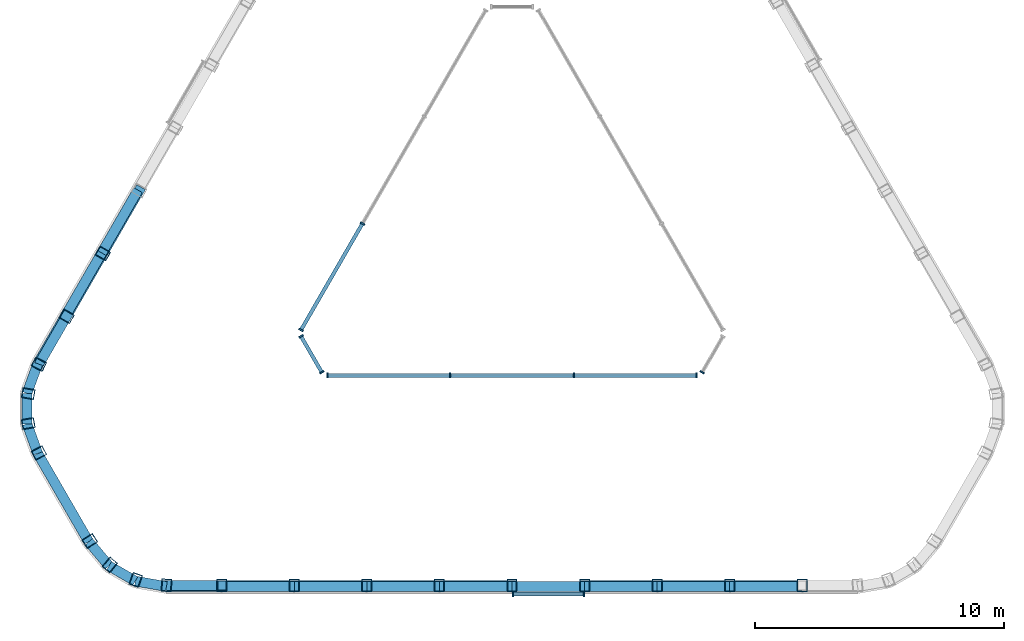
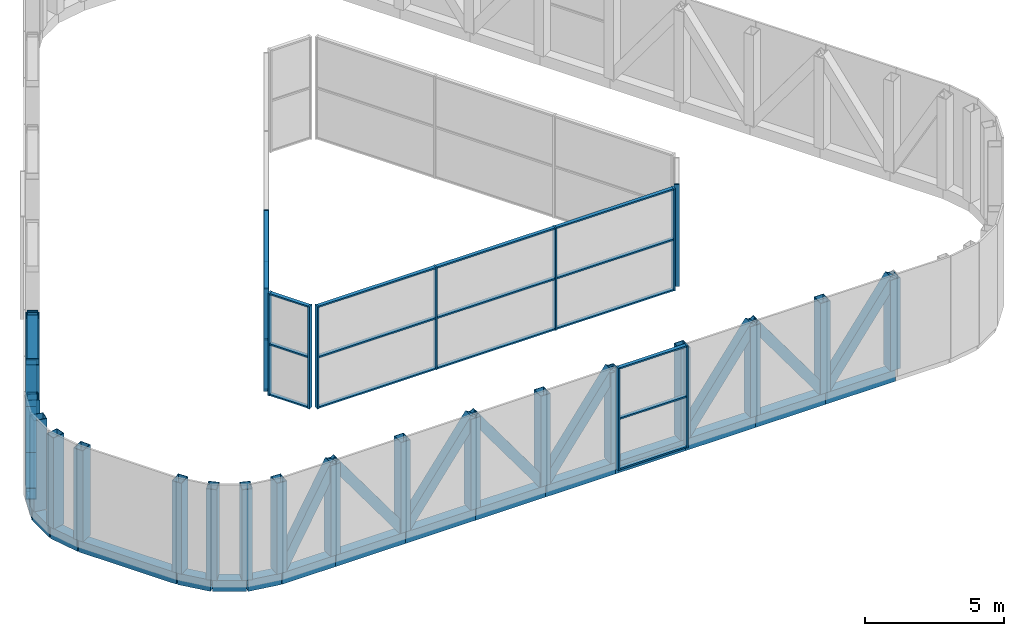
# One storey, part 1 of 5: 78 members, 5 elements without a shape of their own.
"""IFC4 building model written with IfcOpenShell, lengths in metres."""

from ifc_helpers import new_model, si_unit, direction, frame, origin, origin_2d, place, context, subcontext, project, spatial, rectangle, hollow_rectangle, extrude, material, layer, layer_set, material_profile, profile_set, type_object, element, aggregate, save


model = new_model("IFC4")

# Units and contexts
model_context = context("Model", 3, precision=1e-05, world=origin(), true_north=direction((0.0, 1.0)))
body_context = subcontext(model_context, "Body", "Model", "MODEL_VIEW")
ifc_project = project(units=[si_unit("LENGTHUNIT", "METRE"), si_unit("AREAUNIT", "SQUARE_METRE"), si_unit("VOLUMEUNIT", "CUBIC_METRE"), si_unit("PLANEANGLEUNIT", "RADIAN"), si_unit("MASSUNIT", "GRAM", prefix="KILO")], contexts=[model_context])

# Site, building, storey
site_placement = place(None, origin())
site = spatial("IfcSite", under=ifc_project, at=site_placement, CompositionType="ELEMENT")
building_placement = place(site_placement, origin())
building = spatial("IfcBuilding", under=site, at=building_placement, Name="Apuvela Tower Hotel", CompositionType="ELEMENT")
storey_placement = place(building_placement, frame((0.0, 0.0, 357.800048828125)))
storey = spatial("IfcBuildingStorey", under=building, at=storey_placement, Name="R-4 ROOF", CompositionType="ELEMENT", Elevation=357.800048828125)

# Members
ifc_material_1 = material(Name="Steel S355, black paint system", Category="steel")
ifc_material_profile_1 = material_profile(ifc_material_1, hollow_rectangle(XDim=0.39990234375, YDim=0.39990234375, WallThickness=0.01611328125, at=origin_2d()), Name="HSS 400x400x16")
ifc_profile_set_1 = profile_set([ifc_material_profile_1], Name="Steel S355, black paint system")
member_type_1 = type_object("IfcMemberType", Name="ENV-CROWN-BRACE-400x400", PredefinedType="BRACE", material=ifc_profile_set_1)
for number, where, z_axis, x_axis, name in (
    (1, (-14.972412109375, 1.91943359375, 0.25), (-0.294292360305, -0.509682392621, 0.808465129315), (0.866005469285, -0.500034525977, 0.0), "Crown frame brace 14"),
    (2, (-17.884521484375, -3.124267578125, 0.25), (0.294284958722, 0.509718917438, 0.80844479606), (-0.866026430432, 0.49999822179, 0.0), "Crown frame brace 15"),
):
    element("IfcMember", number, at=place(storey_placement, frame(where, z_axis=z_axis, x_axis=x_axis)), inside=storey, type_object=member_type_1, Name=name, PredefinedType="BRACE", context=body_context, shape_type="SweptSolid", body=[
        extrude(hollow_rectangle(XDim=0.39990234375, YDim=0.39990234375, WallThickness=0.01611328125, at=origin_2d()), origin(), (0.0, 0.0, 1.0), 4.94775390625),
    ])
member_1_placement = place(storey_placement, frame((-17.884521484375, -3.124267578125, 0.25), z_axis=(-0.242893162774, -0.420755188842, 0.874052620006), x_axis=(0.866052104262, -0.499953750565, 0.0)))
element("IfcMember", 3, at=member_1_placement, inside=storey, type_object=member_type_1, Name="Crown frame brace 16", PredefinedType="BRACE", context=body_context, shape_type="SweptSolid", body=[
    extrude(hollow_rectangle(XDim=0.39990234375, YDim=0.39990234375, WallThickness=0.01611328125, at=origin_2d()), origin(), (0.0, 0.0, 1.0), 4.576416015625),
])
member_2_placement = place(storey_placement, frame((-13.87109375, -13.92626953125, 0.25), z_axis=(0.485796931429, 0.0, 0.874071702673), x_axis=(0.0, 1.0, 0.0)))
element("IfcMember", 4, at=member_2_placement, inside=storey, type_object=member_type_1, Name="Crown frame brace 24", PredefinedType="BRACE", context=body_context, shape_type="SweptSolid", body=[
    extrude(hollow_rectangle(XDim=0.39990234375, YDim=0.39990234375, WallThickness=0.01611328125, at=origin_2d()), origin(), (0.0, 0.0, 1.0), 4.576171875),
])
member_3_placement = place(storey_placement, frame((-8.73583984375, -13.92626953125, 0.25), z_axis=(-0.588570642565, 0.0, 0.808445792067), x_axis=(0.0, -1.0, 0.0)))
element("IfcMember", 5, at=member_3_placement, inside=storey, type_object=member_type_1, Name="Crown frame brace 25", PredefinedType="BRACE", context=body_context, shape_type="SweptSolid", body=[
    extrude(hollow_rectangle(XDim=0.39990234375, YDim=0.39990234375, WallThickness=0.01611328125, at=origin_2d()), origin(), (0.0, 0.0, 1.0), 4.94775390625),
])
for number, where, z_axis, x_axis, name in (
    (6, (-8.73583984375, -13.92626953125, 0.25), (0.588538390933, 0.0, 0.808469271153), (0.0, 1.0, 0.0), "Crown frame brace 26"),
    (7, (-2.912109375, -13.92626953125, 0.25), (-0.588538390933, 0.0, 0.808469271153), (0.0, -1.0, 0.0), "Crown frame brace 27"),
):
    element("IfcMember", number, at=place(storey_placement, frame(where, z_axis=z_axis, x_axis=x_axis)), inside=storey, type_object=member_type_1, Name=name, PredefinedType="BRACE", context=body_context, shape_type="SweptSolid", body=[
        extrude(hollow_rectangle(XDim=0.39990234375, YDim=0.39990234375, WallThickness=0.01611328125, at=origin_2d()), origin(), (0.0, 0.0, 1.0), 4.947509765625),
    ])
member_4_placement = place(storey_placement, frame((-2.912109375, -13.92626953125, 0.25), z_axis=(0.588570642565, 0.0, 0.808445792067), x_axis=(0.0, 1.0, 0.0)))
element("IfcMember", 8, at=member_4_placement, inside=storey, type_object=member_type_1, Name="Crown frame brace 28", PredefinedType="BRACE", context=body_context, shape_type="SweptSolid", body=[
    extrude(hollow_rectangle(XDim=0.39990234375, YDim=0.39990234375, WallThickness=0.01611328125, at=origin_2d()), origin(), (0.0, 0.0, 1.0), 4.94775390625),
])
for number, where, z_axis, x_axis, name in (
    (9, (2.912109375, -13.92626953125, 0.25), (0.588538390933, 0.0, 0.808469271153), (0.0, 1.0, 0.0), "Crown frame brace 30"),
    (10, (8.73583984375, -13.92626953125, 0.25), (-0.588538390933, 0.0, 0.808469271153), (0.0, -1.0, 0.0), "Crown frame brace 31"),
):
    element("IfcMember", number, at=place(storey_placement, frame(where, z_axis=z_axis, x_axis=x_axis)), inside=storey, type_object=member_type_1, Name=name, PredefinedType="BRACE", context=body_context, shape_type="SweptSolid", body=[
        extrude(hollow_rectangle(XDim=0.39990234375, YDim=0.39990234375, WallThickness=0.01611328125, at=origin_2d()), origin(), (0.0, 0.0, 1.0), 4.947509765625),
    ])
member_5_placement = place(storey_placement, frame((8.73583984375, -13.92626953125, 0.25), z_axis=(0.588570642565, 0.0, 0.808445792067), x_axis=(0.0, 1.0, 0.0)))
element("IfcMember", 11, at=member_5_placement, inside=storey, type_object=member_type_1, Name="Crown frame brace 32", PredefinedType="BRACE", context=body_context, shape_type="SweptSolid", body=[
    extrude(hollow_rectangle(XDim=0.39990234375, YDim=0.39990234375, WallThickness=0.01611328125, at=origin_2d()), origin(), (0.0, 0.0, 1.0), 4.94775390625),
])
ifc_material_profile_2 = material_profile(ifc_material_1, hollow_rectangle(XDim=0.39990234375, YDim=0.5, WallThickness=0.02001953125, at=origin_2d()), Name="HSS 500x400x20")
ifc_profile_set_2 = profile_set([ifc_material_profile_2], Name="Steel S355, black paint system")
member_type_2 = type_object("IfcMemberType", Name="ENV-CROWN-POST-500x400", PredefinedType="POST", material=ifc_profile_set_2)
for number, where, z_axis, x_axis, name in (
    (12, (-16.428466796875, -0.602294921875, 0.25), (0.0, 0.0, 1.0), (-0.5, -0.866025403784, 0.0), "Crown frame post 15"),
    (13, (-17.884521484375, -3.124267578125, 0.25), (0.0, 0.0, 1.0), (-0.5, -0.866025403784, 0.0), "Crown frame post 16"),
    (14, (-18.99609375, -5.0498046875, 0.25), (0.0, 0.0, 1.0), (-0.444553885133, -0.895752110359, 0.0), "Crown frame post 17"),
    (15, (-19.42529296875, -6.229248046875, 0.25), (0.0, 0.0, 1.0), (-0.177414537484, -0.984136211045, 0.0), "Crown frame post 18"),
    (16, (-19.42529296875, -7.43115234375, 0.25), (0.0, 0.0, 1.0), (0.177414537484, -0.984136211045, 0.0), "Crown frame post 19"),
    (17, (-18.99609375, -8.610595703125, 0.25), (0.0, 0.0, 1.0), (0.464115596815, -0.885774639958, 0.0), "Crown frame post 20"),
    (18, (-16.955078125, -12.145751953125, 0.25), (0.0, 0.0, 1.0), (0.535045541825, -0.844823217113, 0.0), "Crown frame post 21"),
    (19, (-16.148193359375, -13.107421875, 0.25), (0.0, 0.0, 1.0), (0.763579690807, -0.645713601984, 0.0), "Crown frame post 22"),
    (20, (-15.107421875, -13.708251953125, 0.25), (0.0, 0.0, 1.0), (0.940994228291, -0.33842260906, 0.0), "Crown frame post 23"),
    (21, (-13.87109375, -13.92626953125, 0.25), (0.0, 0.0, 1.0), (0.998021025631, -0.062881097303, 0.0), "Crown frame post 24"),
    (22, (-11.64794921875, -13.92626953125, 0.25), (0.0, 0.0, 1.0), (1.0, 0.0, 0.0), "Crown frame post 25"),
    (23, (-8.73583984375, -13.92626953125, 0.25), (0.0, 0.0, 1.0), (1.0, 0.0, 0.0), "Crown frame post 26"),
    (24, (-5.823974609375, -13.92626953125, 0.25), (0.0, 0.0, 1.0), (1.0, 0.0, 0.0), "Crown frame post 27"),
    (25, (-2.912109375, -13.92626953125, 0.25), (0.0, 0.0, 1.0), (1.0, 0.0, 0.0), "Crown frame post 28"),
    (26, (0.0, -13.92626953125, 0.25), (0.0, 0.0, 1.0), (1.0, 0.0, 0.0), "Crown frame post 29"),
    (27, (2.912109375, -13.92626953125, 0.25), (0.0, 0.0, 1.0), (1.0, 0.0, 0.0), "Crown frame post 30"),
    (28, (5.823974609375, -13.92626953125, 0.25), (0.0, 0.0, 1.0), (1.0, 0.0, 0.0), "Crown frame post 31"),
    (29, (8.73583984375, -13.92626953125, 0.25), (0.0, 0.0, 1.0), (1.0, 0.0, 0.0), "Crown frame post 32"),
    (30, (11.64794921875, -13.92626953125, 0.25), (0.0, 0.0, 1.0), (1.0, 0.0, 0.0), "Crown frame post 33"),
):
    element("IfcMember", number, at=place(storey_placement, frame(where, z_axis=z_axis, x_axis=x_axis)), inside=storey, type_object=member_type_2, Name=name, PredefinedType="POST", context=body_context, shape_type="SweptSolid", body=[
        extrude(hollow_rectangle(XDim=0.39990234375, YDim=0.5, WallThickness=0.02001953125, at=origin_2d()), origin(), (0.0, 0.0, 1.0), 4.0),
    ])
ifc_material_profile_3 = material_profile(ifc_material_1, hollow_rectangle(XDim=0.39990234375, YDim=0.5, WallThickness=0.01611328125, at=origin_2d()), Name="HSS 500x400x16")
ifc_profile_set_3 = profile_set([ifc_material_profile_3], Name="Steel S355, black paint system")
member_type_3 = type_object("IfcMemberType", Name="ENV-CROWN-RING-500x400", PredefinedType="STRINGER", material=ifc_profile_set_3)
member_6_placement = place(storey_placement, frame((-15.0166015625, 1.94287109375, 0.0), z_axis=(-0.500015065024, -0.866016705814, 0.0), x_axis=(0.866016705814, -0.500015065024, 0.0)))
element("IfcMember", 31, at=member_6_placement, inside=storey, type_object=member_type_3, Name="Crown frame ring beam 4.14", PredefinedType="STRINGER", context=body_context, shape_type="SweptSolid", body=[
    extrude(hollow_rectangle(XDim=0.39990234375, YDim=0.5, WallThickness=0.01611328125, at=origin_2d()), origin(), (0.0, 0.0, 1.0), 2.9130859375),
])
member_7_placement = place(storey_placement, frame((-16.47314453125, -0.579833984375, 0.0), z_axis=(-0.499952204256, -0.866052996912, 0.0), x_axis=(0.866052996912, -0.499952204256, 0.0)))
element("IfcMember", 32, at=member_7_placement, inside=storey, type_object=member_type_3, Name="Crown frame ring beam 4.15", PredefinedType="STRINGER", context=body_context, shape_type="SweptSolid", body=[
    extrude(hollow_rectangle(XDim=0.39990234375, YDim=0.5, WallThickness=0.01611328125, at=origin_2d()), origin(), (0.0, 0.0, 1.0), 2.912841796875),
])
member_8_placement = place(storey_placement, frame((-17.929443359375, -3.1025390625, 0.0), z_axis=(-0.500023359282, -0.866011916877, 0.0), x_axis=(0.866011916877, -0.500023359282, 0.0)))
element("IfcMember", 33, at=member_8_placement, inside=storey, type_object=member_type_3, Name="Crown frame ring beam 4.16", PredefinedType="STRINGER", context=body_context, shape_type="SweptSolid", body=[
    extrude(hollow_rectangle(XDim=0.39990234375, YDim=0.5, WallThickness=0.01611328125, at=origin_2d()), origin(), (0.0, 0.0, 1.0), 2.22412109375),
])
member_9_placement = place(storey_placement, frame((-19.04150390625, -5.028564453125, 0.0), z_axis=(-0.34203668354, -0.939686600475, 0.0), x_axis=(0.939686600475, -0.34203668354, 0.0)))
element("IfcMember", 34, at=member_9_placement, inside=storey, type_object=member_type_3, Name="Crown frame ring beam 4.17", PredefinedType="STRINGER", context=body_context, shape_type="SweptSolid", body=[
    extrude(hollow_rectangle(XDim=0.39990234375, YDim=0.5, WallThickness=0.01611328125, at=origin_2d()), origin(), (0.0, 0.0, 1.0), 1.268310546875),
])
member_10_placement = place(storey_placement, frame((-19.475341796875, -6.220458984375, 0.0), z_axis=(0.0, -1.0, 0.0), x_axis=(1.0, 0.0, 0.0)))
element("IfcMember", 35, at=member_10_placement, inside=storey, type_object=member_type_3, Name="Crown frame ring beam 4.18", PredefinedType="STRINGER", context=body_context, shape_type="SweptSolid", body=[
    extrude(hollow_rectangle(XDim=0.39990234375, YDim=0.5, WallThickness=0.01611328125, at=origin_2d()), origin(), (0.0, 0.0, 1.0), 1.219482421875),
])
member_11_placement = place(storey_placement, frame((-19.475341796875, -7.43994140625, 0.0), z_axis=(0.34203668354, -0.939686600475, 0.0), x_axis=(0.939686600475, 0.34203668354, 0.0)))
element("IfcMember", 36, at=member_11_placement, inside=storey, type_object=member_type_3, Name="Crown frame ring beam 4.19", PredefinedType="STRINGER", context=body_context, shape_type="SweptSolid", body=[
    extrude(hollow_rectangle(XDim=0.39990234375, YDim=0.5, WallThickness=0.01611328125, at=origin_2d()), origin(), (0.0, 0.0, 1.0), 1.268310546875),
])
member_12_placement = place(storey_placement, frame((-19.04150390625, -8.6318359375, 0.0), z_axis=(0.500003144135, -0.86602358851, 0.0), x_axis=(0.86602358851, 0.500003144135, 0.0)))
element("IfcMember", 37, at=member_12_placement, inside=storey, type_object=member_type_3, Name="Crown frame ring beam 4.20", PredefinedType="STRINGER", context=body_context, shape_type="SweptSolid", body=[
    extrude(hollow_rectangle(XDim=0.39990234375, YDim=0.5, WallThickness=0.01611328125, at=origin_2d()), origin(), (0.0, 0.0, 1.0), 4.0908203125),
])
member_13_placement = place(storey_placement, frame((-16.99609375, -12.174560546875, 0.0), z_axis=(0.642717965607, -0.766102876046, 0.0), x_axis=(0.766102876046, 0.642717965607, 0.0)))
element("IfcMember", 38, at=member_13_placement, inside=storey, type_object=member_type_3, Name="Crown frame ring beam 4.21", PredefinedType="STRINGER", context=body_context, shape_type="SweptSolid", body=[
    extrude(hollow_rectangle(XDim=0.39990234375, YDim=0.5, WallThickness=0.01611328125, at=origin_2d()), origin(), (0.0, 0.0, 1.0), 1.268310546875),
])
member_14_placement = place(storey_placement, frame((-16.180908203125, -13.146240234375, 0.0), z_axis=(0.866078909804, -0.499907313403, 0.0), x_axis=(0.499907313403, 0.866078909804, 0.0)))
element("IfcMember", 39, at=member_14_placement, inside=storey, type_object=member_type_3, Name="Crown frame ring beam 4.22", PredefinedType="STRINGER", context=body_context, shape_type="SweptSolid", body=[
    extrude(hollow_rectangle(XDim=0.39990234375, YDim=0.5, WallThickness=0.01611328125, at=origin_2d()), origin(), (0.0, 0.0, 1.0), 1.219482421875),
])
member_15_placement = place(storey_placement, frame((-15.124755859375, -13.755859375, 0.0), z_axis=(0.984783558818, -0.173785333909, 0.0), x_axis=(0.173785333909, 0.984783558818, 0.0)))
element("IfcMember", 40, at=member_15_placement, inside=storey, type_object=member_type_3, Name="Crown frame ring beam 4.23", PredefinedType="STRINGER", context=body_context, shape_type="SweptSolid", body=[
    extrude(hollow_rectangle(XDim=0.39990234375, YDim=0.5, WallThickness=0.01611328125, at=origin_2d()), origin(), (0.0, 0.0, 1.0), 1.2685546875),
])
member_16_placement = place(storey_placement, frame((-13.87548828125, -13.976318359375, 0.0), z_axis=(1.0, 0.0, 0.0), x_axis=(0.0, 1.0, 0.0)))
element("IfcMember", 41, at=member_16_placement, inside=storey, type_object=member_type_3, Name="Crown frame ring beam 4.24", PredefinedType="STRINGER", context=body_context, shape_type="SweptSolid", body=[
    extrude(hollow_rectangle(XDim=0.39990234375, YDim=0.5, WallThickness=0.01611328125, at=origin_2d()), origin(), (0.0, 0.0, 1.0), 2.223876953125),
])
member_17_placement = place(storey_placement, frame((-11.651611328125, -13.976318359375, 0.0), z_axis=(1.0, 0.0, 0.0), x_axis=(0.0, 1.0, 0.0)))
element("IfcMember", 42, at=member_17_placement, inside=storey, type_object=member_type_3, Name="Crown frame ring beam 4.25", PredefinedType="STRINGER", context=body_context, shape_type="SweptSolid", body=[
    extrude(hollow_rectangle(XDim=0.39990234375, YDim=0.5, WallThickness=0.01611328125, at=origin_2d()), origin(), (0.0, 0.0, 1.0), 2.912841796875),
])
member_18_placement = place(storey_placement, frame((-8.73876953125, -13.976318359375, 0.0), z_axis=(1.0, 0.0, 0.0), x_axis=(0.0, 1.0, 0.0)))
element("IfcMember", 43, at=member_18_placement, inside=storey, type_object=member_type_3, Name="Crown frame ring beam 4.26", PredefinedType="STRINGER", context=body_context, shape_type="SweptSolid", body=[
    extrude(hollow_rectangle(XDim=0.39990234375, YDim=0.5, WallThickness=0.01611328125, at=origin_2d()), origin(), (0.0, 0.0, 1.0), 2.9130859375),
])
for number, where, z_axis, x_axis, name in (
    (44, (-5.82568359375, -13.976318359375, 0.0), (1.0, 0.0, 0.0), (0.0, 1.0, 0.0), "Crown frame ring beam 4.27"),
    (45, (-2.912841796875, -13.976318359375, 0.0), (1.0, 0.0, 0.0), (0.0, 1.0, 0.0), "Crown frame ring beam 4.28"),
    (46, (0.0, -13.976318359375, 0.0), (1.0, 0.0, 0.0), (0.0, 1.0, 0.0), "Crown frame ring beam 4.29"),
    (47, (2.912841796875, -13.976318359375, 0.0), (1.0, 0.0, 0.0), (0.0, 1.0, 0.0), "Crown frame ring beam 4.30"),
):
    element("IfcMember", number, at=place(storey_placement, frame(where, z_axis=z_axis, x_axis=x_axis)), inside=storey, type_object=member_type_3, Name=name, PredefinedType="STRINGER", context=body_context, shape_type="SweptSolid", body=[
        extrude(hollow_rectangle(XDim=0.39990234375, YDim=0.5, WallThickness=0.01611328125, at=origin_2d()), origin(), (0.0, 0.0, 1.0), 2.912841796875),
    ])
member_19_placement = place(storey_placement, frame((5.82568359375, -13.976318359375, 0.0), z_axis=(1.0, 0.0, 0.0), x_axis=(0.0, 1.0, 0.0)))
element("IfcMember", 48, at=member_19_placement, inside=storey, type_object=member_type_3, Name="Crown frame ring beam 4.31", PredefinedType="STRINGER", context=body_context, shape_type="SweptSolid", body=[
    extrude(hollow_rectangle(XDim=0.39990234375, YDim=0.5, WallThickness=0.01611328125, at=origin_2d()), origin(), (0.0, 0.0, 1.0), 2.9130859375),
])
member_20_placement = place(storey_placement, frame((8.73876953125, -13.976318359375, 0.0), z_axis=(1.0, 0.0, 0.0), x_axis=(0.0, 1.0, 0.0)))
element("IfcMember", 49, at=member_20_placement, inside=storey, type_object=member_type_3, Name="Crown frame ring beam 4.32", PredefinedType="STRINGER", context=body_context, shape_type="SweptSolid", body=[
    extrude(hollow_rectangle(XDim=0.39990234375, YDim=0.5, WallThickness=0.01611328125, at=origin_2d()), origin(), (0.0, 0.0, 1.0), 2.912841796875),
])

# Curtain wall, members
ifc_material_2 = material(Name="Aluminium 6063-T6, dark bronze anodised", Category="aluminium")
ifc_layer_1 = layer(ifc_material_2, 0.199951171875)
ifc_layer_set_1 = layer_set([ifc_layer_1], Name="ENV-CW-C")
curtain_wall_type_1 = type_object("IfcCurtainWallType", Name="ENV-CW-C", PredefinedType="NOTDEFINED", material=ifc_layer_set_1)
curtain_wall_1_placement = place(storey_placement, origin())
curtain_wall_1 = element("IfcCurtainWall", 50, at=curtain_wall_1_placement, inside=storey, type_object=curtain_wall_type_1, Name="Crown glazing 29 R-4 ROOF", PredefinedType="NOTDEFINED")
ifc_material_profile_4 = material_profile(ifc_material_2, rectangle(XDim=0.199951171875, YDim=0.06494140625, at=origin_2d()), Name="AL 65x200")
ifc_profile_set_4 = profile_set([ifc_material_profile_4], Name="Aluminium 6063-T6, dark bronze anodised")
member_type_4 = type_object("IfcMemberType", Name="ENV-MULLION-65x200", PredefinedType="MULLION", material=ifc_profile_set_4)
member_21_placement = place(storey_placement, frame((0.032470703125, -14.276123046875, 0.0), z_axis=(0.0, 0.0, 1.0), x_axis=(0.0, 1.0, 0.0)))
member_21 = element("IfcMember", 51, at=member_21_placement, type_object=member_type_4, Name="CW-C mullion 1", PredefinedType="MULLION", context=body_context, shape_type="SweptSolid", body=[
    extrude(rectangle(XDim=0.199951171875, YDim=0.06494140625, at=origin_2d()), origin(), (0.0, 0.0, 1.0), 4.5),
])
member_22_placement = place(storey_placement, frame((2.884765625, -14.276123046875, 0.0), z_axis=(0.0, 0.0, 1.0), x_axis=(0.0, 1.0, 0.0)))
member_22 = element("IfcMember", 52, at=member_22_placement, type_object=member_type_4, Name="CW-C mullion 2", PredefinedType="MULLION", context=body_context, shape_type="SweptSolid", body=[
    extrude(rectangle(XDim=0.199951171875, YDim=0.06494140625, at=origin_2d()), origin(), (0.0, 0.0, 1.0), 4.5),
])

ifc_layer_2 = layer(ifc_material_2, 0.199951171875)
ifc_layer_set_2 = layer_set([ifc_layer_2], Name="ENV-CW-A")
curtain_wall_type_2 = type_object("IfcCurtainWallType", Name="ENV-CW-A", PredefinedType="NOTDEFINED", material=ifc_layer_set_2)
curtain_wall_2_placement = place(storey_placement, origin())
curtain_wall_2 = element("IfcCurtainWall", 53, at=curtain_wall_2_placement, inside=storey, type_object=curtain_wall_type_2, Name="Atrium glazing 2 R-4 ROOF", PredefinedType="NOTDEFINED")
member_23_placement = place(storey_placement, frame((-6.00439453125, 0.60009765625, 0.0), z_axis=(0.0, 0.0, 1.0), x_axis=(0.866025940778, -0.499999069899, 0.0)))
member_23 = element("IfcMember", 54, at=member_23_placement, type_object=member_type_4, Name="CW-A mullion 3", PredefinedType="MULLION", context=body_context, shape_type="SweptSolid", body=[
    extrude(rectangle(XDim=0.199951171875, YDim=0.06494140625, at=origin_2d()), origin(), (0.0, 0.0, 1.0), 4.5),
])
member_24_placement = place(storey_placement, frame((-8.470703125, -3.671875, 0.0), z_axis=(0.0, 0.0, 1.0), x_axis=(0.866025940778, -0.499999069899, 0.0)))
member_24 = element("IfcMember", 55, at=member_24_placement, type_object=member_type_4, Name="CW-A mullion 4", PredefinedType="MULLION", context=body_context, shape_type="SweptSolid", body=[
    extrude(rectangle(XDim=0.199951171875, YDim=0.06494140625, at=origin_2d()), origin(), (0.0, 0.0, 1.0), 4.5),
])

curtain_wall_3_placement = place(storey_placement, origin())
curtain_wall_3 = element("IfcCurtainWall", 56, at=curtain_wall_3_placement, inside=storey, type_object=curtain_wall_type_2, Name="Atrium glazing 3 R-4 ROOF", PredefinedType="NOTDEFINED")
member_25_placement = place(storey_placement, frame((-8.470703125, -3.92822265625, 0.0), z_axis=(0.0, 0.0, 1.0), x_axis=(0.866031754706, 0.49998899972, 0.0)))
member_25 = element("IfcMember", 57, at=member_25_placement, type_object=member_type_4, Name="CW-A mullion 1", PredefinedType="MULLION", context=body_context, shape_type="SweptSolid", body=[
    extrude(rectangle(XDim=0.199951171875, YDim=0.06494140625, at=origin_2d()), origin(), (0.0, 0.0, 1.0), 4.5),
])
member_26_placement = place(storey_placement, frame((-7.63720703125, -5.371826171875, 0.0), z_axis=(0.0, 0.0, 1.0), x_axis=(0.866031754706, 0.49998899972, 0.0)))
member_26 = element("IfcMember", 58, at=member_26_placement, type_object=member_type_4, Name="CW-A mullion 2", PredefinedType="MULLION", context=body_context, shape_type="SweptSolid", body=[
    extrude(rectangle(XDim=0.199951171875, YDim=0.06494140625, at=origin_2d()), origin(), (0.0, 0.0, 1.0), 4.5),
])

curtain_wall_4_placement = place(storey_placement, origin())
curtain_wall_4 = element("IfcCurtainWall", 59, at=curtain_wall_4_placement, inside=storey, type_object=curtain_wall_type_2, Name="Atrium glazing 4 R-4 ROOF", PredefinedType="NOTDEFINED")
member_27_placement = place(storey_placement, frame((-7.415283203125, -5.5, 0.0), z_axis=(0.0, 0.0, 1.0), x_axis=(0.0, 1.0, 0.0)))
member_27 = element("IfcMember", 60, at=member_27_placement, type_object=member_type_4, Name="CW-A mullion 1", PredefinedType="MULLION", context=body_context, shape_type="SweptSolid", body=[
    extrude(rectangle(XDim=0.199951171875, YDim=0.06494140625, at=origin_2d()), origin(), (0.0, 0.0, 1.0), 4.5),
])
member_28_placement = place(storey_placement, frame((-2.482666015625, -5.5, 0.0), z_axis=(0.0, 0.0, 1.0), x_axis=(0.0, 1.0, 0.0)))
member_28 = element("IfcMember", 61, at=member_28_placement, type_object=member_type_4, Name="CW-A mullion 2", PredefinedType="MULLION", context=body_context, shape_type="SweptSolid", body=[
    extrude(rectangle(XDim=0.199951171875, YDim=0.06494140625, at=origin_2d()), origin(), (0.0, 0.0, 1.0), 4.5),
])
member_29_placement = place(storey_placement, frame((2.482666015625, -5.5, 0.0), z_axis=(0.0, 0.0, 1.0), x_axis=(0.0, 1.0, 0.0)))
member_29 = element("IfcMember", 62, at=member_29_placement, type_object=member_type_4, Name="CW-A mullion 3", PredefinedType="MULLION", context=body_context, shape_type="SweptSolid", body=[
    extrude(rectangle(XDim=0.199951171875, YDim=0.06494140625, at=origin_2d()), origin(), (0.0, 0.0, 1.0), 4.5),
])
member_30_placement = place(storey_placement, frame((7.415283203125, -5.5, 0.0), z_axis=(0.0, 0.0, 1.0), x_axis=(0.0, 1.0, 0.0)))
member_30 = element("IfcMember", 63, at=member_30_placement, type_object=member_type_4, Name="CW-A mullion 4", PredefinedType="MULLION", context=body_context, shape_type="SweptSolid", body=[
    extrude(rectangle(XDim=0.199951171875, YDim=0.06494140625, at=origin_2d()), origin(), (0.0, 0.0, 1.0), 4.5),
])

# Curtain wall, member
curtain_wall_5_placement = place(storey_placement, origin())
curtain_wall_5 = element("IfcCurtainWall", 64, at=curtain_wall_5_placement, inside=storey, type_object=curtain_wall_type_2, Name="Atrium glazing 5 R-4 ROOF", PredefinedType="NOTDEFINED")
member_31_placement = place(storey_placement, frame((7.63720703125, -5.371826171875, 0.0), z_axis=(0.0, 0.0, 1.0), x_axis=(-0.866031754706, 0.49998899972, 0.0)))
member_31 = element("IfcMember", 65, at=member_31_placement, type_object=member_type_4, Name="CW-A mullion 1", PredefinedType="MULLION", context=body_context, shape_type="SweptSolid", body=[
    extrude(rectangle(XDim=0.199951171875, YDim=0.06494140625, at=origin_2d()), origin(), (0.0, 0.0, 1.0), 4.5),
])
aggregate(curtain_wall_5, [member_31])

# Member
ifc_material_profile_5 = material_profile(ifc_material_2, rectangle(XDim=0.14990234375, YDim=0.06494140625, at=origin_2d()), Name="AL 65x150 transom")
ifc_profile_set_5 = profile_set([ifc_material_profile_5], Name="Aluminium 6063-T6, dark bronze anodised")
member_type_5 = type_object("IfcMemberType", Name="ENV-TRANSOM-65x150", PredefinedType="USERDEFINED", material=ifc_profile_set_5)
member_32_placement = place(storey_placement, frame((0.06494140625, -14.276123046875, 0.032470703125), z_axis=(1.0, 0.0, 0.0), x_axis=(0.0, 1.0, 0.0)))
member_32 = element("IfcMember", 66, at=member_32_placement, type_object=member_type_5, Name="CW-C transom 1.1", ObjectType="TRANSOM", PredefinedType="USERDEFINED", context=body_context, shape_type="SweptSolid", body=[
    extrude(rectangle(XDim=0.14990234375, YDim=0.06494140625, at=origin_2d()), origin(), (0.0, 0.0, 1.0), 2.787353515625),
])

member_33_placement = place(storey_placement, frame((0.06494140625, -14.276123046875, 2.25), z_axis=(1.0, 0.0, 0.0), x_axis=(0.0, 1.0, 0.0)))
member_33 = element("IfcMember", 67, at=member_33_placement, type_object=member_type_5, Name="CW-C transom 1.2", ObjectType="TRANSOM", PredefinedType="USERDEFINED", context=body_context, shape_type="SweptSolid", body=[
    extrude(rectangle(XDim=0.14990234375, YDim=0.06494140625, at=origin_2d()), origin(), (0.0, 0.0, 1.0), 2.787353515625),
])

member_34_placement = place(storey_placement, frame((0.06494140625, -14.276123046875, 4.467529296875), z_axis=(1.0, 0.0, 0.0), x_axis=(0.0, 1.0, 0.0)))
member_34 = element("IfcMember", 68, at=member_34_placement, type_object=member_type_5, Name="CW-C transom 1.3", ObjectType="TRANSOM", PredefinedType="USERDEFINED", context=body_context, shape_type="SweptSolid", body=[
    extrude(rectangle(XDim=0.14990234375, YDim=0.06494140625, at=origin_2d()), origin(), (0.0, 0.0, 1.0), 2.787353515625),
])

aggregate(curtain_wall_1, [member_21, member_22, member_32, member_33, member_34])

member_35_placement = place(storey_placement, frame((-6.020751953125, 0.57177734375, 0.032470703125), z_axis=(-0.49999597136, -0.866027729709, 0.0), x_axis=(0.866027729709, -0.49999597136, 0.0)))
member_35 = element("IfcMember", 69, at=member_35_placement, type_object=member_type_5, Name="CW-A transom 3.1", ObjectType="TRANSOM", PredefinedType="USERDEFINED", context=body_context, shape_type="SweptSolid", body=[
    extrude(rectangle(XDim=0.14990234375, YDim=0.06494140625, at=origin_2d()), origin(), (0.0, 0.0, 1.0), 4.86767578125),
])

member_36_placement = place(storey_placement, frame((-6.020751953125, 0.57177734375, 2.25), z_axis=(-0.49999597136, -0.866027729709, 0.0), x_axis=(0.866027729709, -0.49999597136, 0.0)))
member_36 = element("IfcMember", 70, at=member_36_placement, type_object=member_type_5, Name="CW-A transom 3.2", ObjectType="TRANSOM", PredefinedType="USERDEFINED", context=body_context, shape_type="SweptSolid", body=[
    extrude(rectangle(XDim=0.14990234375, YDim=0.06494140625, at=origin_2d()), origin(), (0.0, 0.0, 1.0), 4.86767578125),
])

member_37_placement = place(storey_placement, frame((-6.020751953125, 0.57177734375, 4.467529296875), z_axis=(-0.49999597136, -0.866027729709, 0.0), x_axis=(0.866027729709, -0.49999597136, 0.0)))
member_37 = element("IfcMember", 71, at=member_37_placement, type_object=member_type_5, Name="CW-A transom 3.3", ObjectType="TRANSOM", PredefinedType="USERDEFINED", context=body_context, shape_type="SweptSolid", body=[
    extrude(rectangle(XDim=0.14990234375, YDim=0.06494140625, at=origin_2d()), origin(), (0.0, 0.0, 1.0), 4.86767578125),
])

aggregate(curtain_wall_2, [member_23, member_24, member_35, member_36, member_37])

member_38_placement = place(storey_placement, frame((-8.45458984375, -3.956298828125, 0.032470703125), z_axis=(0.499990676028, -0.866030786915, 0.0), x_axis=(0.866030786915, 0.499990676028, 0.0)))
member_38 = element("IfcMember", 72, at=member_38_placement, type_object=member_type_5, Name="CW-A transom 1.1", ObjectType="TRANSOM", PredefinedType="USERDEFINED", context=body_context, shape_type="SweptSolid", body=[
    extrude(rectangle(XDim=0.14990234375, YDim=0.06494140625, at=origin_2d()), origin(), (0.0, 0.0, 1.0), 1.60205078125),
])

member_39_placement = place(storey_placement, frame((-8.45458984375, -3.956298828125, 2.25), z_axis=(0.499990676028, -0.866030786915, 0.0), x_axis=(0.866030786915, 0.499990676028, 0.0)))
member_39 = element("IfcMember", 73, at=member_39_placement, type_object=member_type_5, Name="CW-A transom 1.2", ObjectType="TRANSOM", PredefinedType="USERDEFINED", context=body_context, shape_type="SweptSolid", body=[
    extrude(rectangle(XDim=0.14990234375, YDim=0.06494140625, at=origin_2d()), origin(), (0.0, 0.0, 1.0), 1.60205078125),
])

member_40_placement = place(storey_placement, frame((-8.45458984375, -3.956298828125, 4.467529296875), z_axis=(0.499990676028, -0.866030786915, 0.0), x_axis=(0.866030786915, 0.499990676028, 0.0)))
member_40 = element("IfcMember", 74, at=member_40_placement, type_object=member_type_5, Name="CW-A transom 1.3", ObjectType="TRANSOM", PredefinedType="USERDEFINED", context=body_context, shape_type="SweptSolid", body=[
    extrude(rectangle(XDim=0.14990234375, YDim=0.06494140625, at=origin_2d()), origin(), (0.0, 0.0, 1.0), 1.60205078125),
])

aggregate(curtain_wall_3, [member_25, member_26, member_38, member_39, member_40])

member_41_placement = place(storey_placement, frame((-7.3828125, -5.5, 0.032470703125), z_axis=(1.0, 0.0, 0.0), x_axis=(0.0, 1.0, 0.0)))
member_41 = element("IfcMember", 75, at=member_41_placement, type_object=member_type_5, Name="CW-A transom 1.1", ObjectType="TRANSOM", PredefinedType="USERDEFINED", context=body_context, shape_type="SweptSolid", body=[
    extrude(rectangle(XDim=0.14990234375, YDim=0.06494140625, at=origin_2d()), origin(), (0.0, 0.0, 1.0), 4.86767578125),
])

member_42_placement = place(storey_placement, frame((-7.3828125, -5.5, 2.25), z_axis=(1.0, 0.0, 0.0), x_axis=(0.0, 1.0, 0.0)))
member_42 = element("IfcMember", 76, at=member_42_placement, type_object=member_type_5, Name="CW-A transom 1.2", ObjectType="TRANSOM", PredefinedType="USERDEFINED", context=body_context, shape_type="SweptSolid", body=[
    extrude(rectangle(XDim=0.14990234375, YDim=0.06494140625, at=origin_2d()), origin(), (0.0, 0.0, 1.0), 4.86767578125),
])

member_43_placement = place(storey_placement, frame((-7.3828125, -5.5, 4.467529296875), z_axis=(1.0, 0.0, 0.0), x_axis=(0.0, 1.0, 0.0)))
member_43 = element("IfcMember", 77, at=member_43_placement, type_object=member_type_5, Name="CW-A transom 1.3", ObjectType="TRANSOM", PredefinedType="USERDEFINED", context=body_context, shape_type="SweptSolid", body=[
    extrude(rectangle(XDim=0.14990234375, YDim=0.06494140625, at=origin_2d()), origin(), (0.0, 0.0, 1.0), 4.86767578125),
])

member_44_placement = place(storey_placement, frame((-2.4501953125, -5.5, 0.032470703125), z_axis=(1.0, 0.0, 0.0), x_axis=(0.0, 1.0, 0.0)))
member_44 = element("IfcMember", 78, at=member_44_placement, type_object=member_type_5, Name="CW-A transom 2.1", ObjectType="TRANSOM", PredefinedType="USERDEFINED", context=body_context, shape_type="SweptSolid", body=[
    extrude(rectangle(XDim=0.14990234375, YDim=0.06494140625, at=origin_2d()), origin(), (0.0, 0.0, 1.0), 4.900390625),
])

member_45_placement = place(storey_placement, frame((-2.4501953125, -5.5, 2.25), z_axis=(1.0, 0.0, 0.0), x_axis=(0.0, 1.0, 0.0)))
member_45 = element("IfcMember", 79, at=member_45_placement, type_object=member_type_5, Name="CW-A transom 2.2", ObjectType="TRANSOM", PredefinedType="USERDEFINED", context=body_context, shape_type="SweptSolid", body=[
    extrude(rectangle(XDim=0.14990234375, YDim=0.06494140625, at=origin_2d()), origin(), (0.0, 0.0, 1.0), 4.900390625),
])

member_46_placement = place(storey_placement, frame((-2.4501953125, -5.5, 4.467529296875), z_axis=(1.0, 0.0, 0.0), x_axis=(0.0, 1.0, 0.0)))
member_46 = element("IfcMember", 80, at=member_46_placement, type_object=member_type_5, Name="CW-A transom 2.3", ObjectType="TRANSOM", PredefinedType="USERDEFINED", context=body_context, shape_type="SweptSolid", body=[
    extrude(rectangle(XDim=0.14990234375, YDim=0.06494140625, at=origin_2d()), origin(), (0.0, 0.0, 1.0), 4.900390625),
])

member_47_placement = place(storey_placement, frame((2.51513671875, -5.5, 0.032470703125), z_axis=(1.0, 0.0, 0.0), x_axis=(0.0, 1.0, 0.0)))
member_47 = element("IfcMember", 81, at=member_47_placement, type_object=member_type_5, Name="CW-A transom 3.1", ObjectType="TRANSOM", PredefinedType="USERDEFINED", context=body_context, shape_type="SweptSolid", body=[
    extrude(rectangle(XDim=0.14990234375, YDim=0.06494140625, at=origin_2d()), origin(), (0.0, 0.0, 1.0), 4.86767578125),
])

member_48_placement = place(storey_placement, frame((2.51513671875, -5.5, 2.25), z_axis=(1.0, 0.0, 0.0), x_axis=(0.0, 1.0, 0.0)))
member_48 = element("IfcMember", 82, at=member_48_placement, type_object=member_type_5, Name="CW-A transom 3.2", ObjectType="TRANSOM", PredefinedType="USERDEFINED", context=body_context, shape_type="SweptSolid", body=[
    extrude(rectangle(XDim=0.14990234375, YDim=0.06494140625, at=origin_2d()), origin(), (0.0, 0.0, 1.0), 4.86767578125),
])

member_49_placement = place(storey_placement, frame((2.51513671875, -5.5, 4.467529296875), z_axis=(1.0, 0.0, 0.0), x_axis=(0.0, 1.0, 0.0)))
member_49 = element("IfcMember", 83, at=member_49_placement, type_object=member_type_5, Name="CW-A transom 3.3", ObjectType="TRANSOM", PredefinedType="USERDEFINED", context=body_context, shape_type="SweptSolid", body=[
    extrude(rectangle(XDim=0.14990234375, YDim=0.06494140625, at=origin_2d()), origin(), (0.0, 0.0, 1.0), 4.86767578125),
])

aggregate(curtain_wall_4, [member_27, member_28, member_29, member_30, member_41, member_42, member_43, member_44, member_45, member_46, member_47, member_48, member_49])

save(model, "model.ifc")
